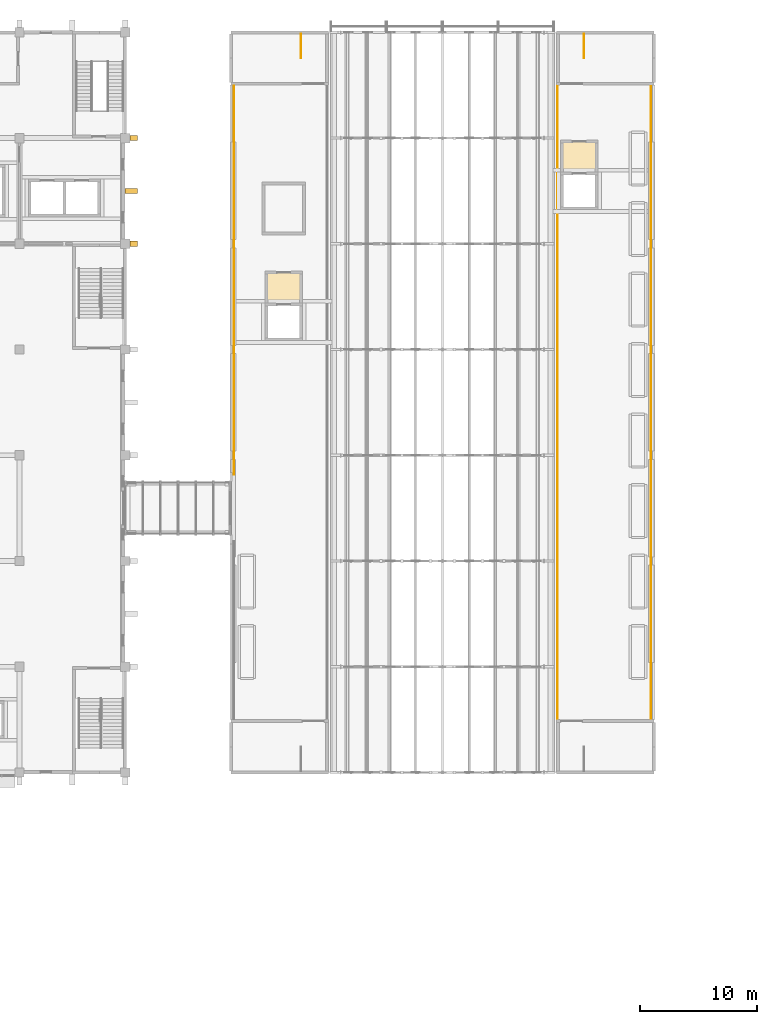
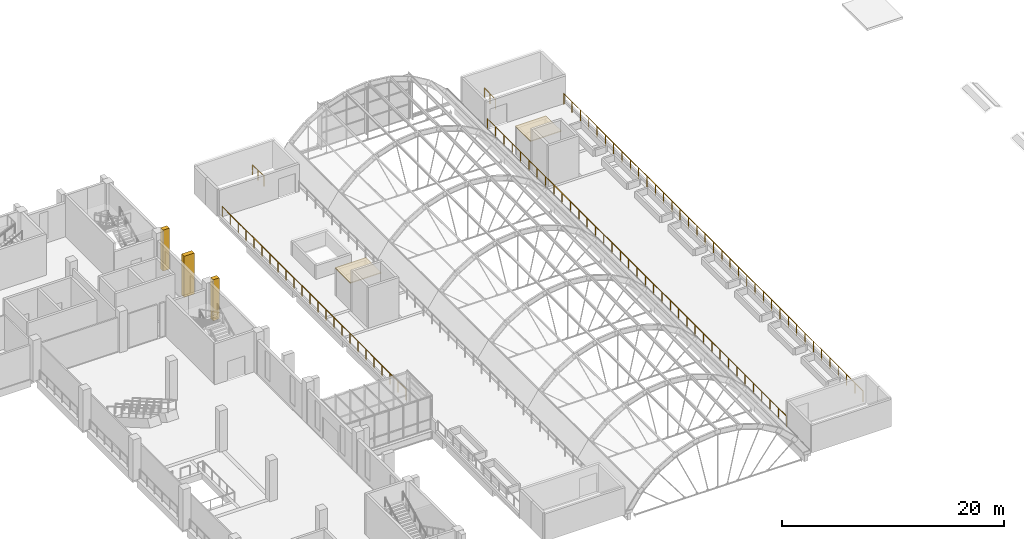
# One storey, part 76 of 79: 5 coverings, 5 railings.
"""IFC4 building model written with IfcOpenShell, lengths in metres."""

from ifc_helpers import new_model, si_unit, direction, frame, origin, origin_2d, place, context, subcontext, project, spatial, rectangle, circle, extrude, material, layer, layer_set, type_object, element, save


model = new_model("IFC4")

# Units and contexts
model_context = context("Model", 3, precision=1e-05, world=origin(), true_north=direction((0.0, 1.0)))
body_context = subcontext(model_context, "Body", "Model", "MODEL_VIEW")
ifc_project = project(units=[si_unit("LENGTHUNIT", "METRE"), si_unit("AREAUNIT", "SQUARE_METRE"), si_unit("VOLUMEUNIT", "CUBIC_METRE"), si_unit("PLANEANGLEUNIT", "RADIAN"), si_unit("MASSUNIT", "GRAM", prefix="KILO")], contexts=[model_context])

# Site, building, storey
site_placement = place(None, origin())
site = spatial("IfcSite", under=ifc_project, at=site_placement, CompositionType="ELEMENT")
building_placement = place(site_placement, origin())
building = spatial("IfcBuilding", under=site, at=building_placement, Name="Guidao Yard Department Store", CompositionType="ELEMENT")
storey_placement = place(building_placement, frame((0.0, 0.0, 15.0)))
storey = spatial("IfcBuildingStorey", under=building, at=storey_placement, Name="L03", CompositionType="ELEMENT", Elevation=15.0)

# Railings
ifc_material_1 = material(Name="Steel Q235", Category="steel")
railing_type_1 = type_object("IfcRailingType", Name="Guard steel balustrade 1100", PredefinedType="GUARDRAIL", material=ifc_material_1)
for number, where, name in (
    (1, (77.949951171875, 105.824951171875, 0.0), "Stair G2 guard L03 10"),
    (2, (102.050048828125, 105.824951171875, 0.0), "Stair G4 guard L03 12"),
):
    element("IfcRailing", number, at=place(storey_placement, frame(where)), inside=storey, type_object=railing_type_1, Name=name, PredefinedType="GUARDRAIL", context=body_context, shape_type="SweptSolid", body=[
        extrude(circle(Radius=0.02392578125, at=origin_2d()), frame((0.0, 0.0, 1.076171875), z_axis=(0.0, 1.0, 0.0), x_axis=(-1.0, 0.0, 0.0)), (0.0, 0.0, 1.0), 2.050048828125),
        extrude(circle(Radius=0.02099609375, at=origin_2d()), origin(), (0.0, 0.0, 1.0), 1.052001953125),
        extrude(circle(Radius=0.02099609375, at=origin_2d()), frame((0.0, 1.02490234375, 0.0)), (0.0, 0.0, 1.0), 1.052001953125),
        extrude(circle(Radius=0.02099609375, at=origin_2d()), frame((0.0, 2.050048828125, 0.0)), (0.0, 0.0, 1.0), 1.052001953125),
    ])
ifc_material_2 = material(Name="Steel Q235", Category="steel")
railing_type_2 = type_object("IfcRailingType", Name="Guard steel balustrade 1200", PredefinedType="GUARDRAIL", material=ifc_material_2)
railing_1_placement = place(storey_placement, frame((72.25, 70.35009765625, 0.0)))
element("IfcRailing", 3, at=railing_1_placement, inside=storey, type_object=railing_type_2, Name="Guard garden ROOF-AW 1 L03", PredefinedType="GUARDRAIL", context=body_context, shape_type="SweptSolid", body=[
    extrude(circle(Radius=0.02392578125, at=origin_2d()), frame((0.0, 0.0, 1.17578125), z_axis=(0.0, 1.0, 0.0), x_axis=(-1.0, 0.0, 0.0)), (0.0, 0.0, 1.0), 33.099853515625),
    extrude(circle(Radius=0.02099609375, at=origin_2d()), origin(), (0.0, 0.0, 1.0), 1.15185546875),
    extrude(circle(Radius=0.02099609375, at=origin_2d()), frame((0.0, 1.439208984375, 0.0)), (0.0, 0.0, 1.0), 1.15185546875),
    extrude(circle(Radius=0.02099609375, at=origin_2d()), frame((0.0, 2.878173828125, 0.0)), (0.0, 0.0, 1.0), 1.15185546875),
    extrude(circle(Radius=0.02099609375, at=origin_2d()), frame((0.0, 4.3173828125, 0.0)), (0.0, 0.0, 1.0), 1.15185546875),
    extrude(circle(Radius=0.02099609375, at=origin_2d()), frame((0.0, 5.756591796875, 0.0)), (0.0, 0.0, 1.0), 1.15185546875),
    extrude(circle(Radius=0.02099609375, at=origin_2d()), frame((0.0, 7.195556640625, 0.0)), (0.0, 0.0, 1.0), 1.15185546875),
    extrude(circle(Radius=0.02099609375, at=origin_2d()), frame((0.0, 8.634765625, 0.0)), (0.0, 0.0, 1.0), 1.15185546875),
    extrude(circle(Radius=0.02099609375, at=origin_2d()), frame((0.0, 10.073974609375, 0.0)), (0.0, 0.0, 1.0), 1.15185546875),
    extrude(circle(Radius=0.02099609375, at=origin_2d()), frame((0.0, 11.512939453125, 0.0)), (0.0, 0.0, 1.0), 1.15185546875),
    extrude(circle(Radius=0.02099609375, at=origin_2d()), frame((0.0, 12.9521484375, 0.0)), (0.0, 0.0, 1.0), 1.15185546875),
    extrude(circle(Radius=0.02099609375, at=origin_2d()), frame((0.0, 14.391357421875, 0.0)), (0.0, 0.0, 1.0), 1.15185546875),
    extrude(circle(Radius=0.02099609375, at=origin_2d()), frame((0.0, 15.830322265625, 0.0)), (0.0, 0.0, 1.0), 1.15185546875),
    extrude(circle(Radius=0.02099609375, at=origin_2d()), frame((0.0, 17.26953125, 0.0)), (0.0, 0.0, 1.0), 1.15185546875),
    extrude(circle(Radius=0.02099609375, at=origin_2d()), frame((0.0, 18.70849609375, 0.0)), (0.0, 0.0, 1.0), 1.15185546875),
    extrude(circle(Radius=0.02099609375, at=origin_2d()), frame((0.0, 20.147705078125, 0.0)), (0.0, 0.0, 1.0), 1.15185546875),
    extrude(circle(Radius=0.02099609375, at=origin_2d()), frame((0.0, 21.5869140625, 0.0)), (0.0, 0.0, 1.0), 1.15185546875),
    extrude(circle(Radius=0.02099609375, at=origin_2d()), frame((0.0, 23.02587890625, 0.0)), (0.0, 0.0, 1.0), 1.15185546875),
    extrude(circle(Radius=0.02099609375, at=origin_2d()), frame((0.0, 24.465087890625, 0.0)), (0.0, 0.0, 1.0), 1.15185546875),
    extrude(circle(Radius=0.02099609375, at=origin_2d()), frame((0.0, 25.904296875, 0.0)), (0.0, 0.0, 1.0), 1.15185546875),
    extrude(circle(Radius=0.02099609375, at=origin_2d()), frame((0.0, 27.34326171875, 0.0)), (0.0, 0.0, 1.0), 1.15185546875),
    extrude(circle(Radius=0.02099609375, at=origin_2d()), frame((0.0, 28.782470703125, 0.0)), (0.0, 0.0, 1.0), 1.15185546875),
    extrude(circle(Radius=0.02099609375, at=origin_2d()), frame((0.0, 30.2216796875, 0.0)), (0.0, 0.0, 1.0), 1.15185546875),
    extrude(circle(Radius=0.02099609375, at=origin_2d()), frame((0.0, 31.66064453125, 0.0)), (0.0, 0.0, 1.0), 1.15185546875),
    extrude(circle(Radius=0.02099609375, at=origin_2d()), frame((0.0, 33.099853515625, 0.0)), (0.0, 0.0, 1.0), 1.15185546875),
])
railing_2_placement = place(storey_placement, frame((99.800048828125, 49.550048828125, 0.0)))
element("IfcRailing", 4, at=railing_2_placement, inside=storey, type_object=railing_type_2, Name="Guard garden ROOF-AE 1 L03", PredefinedType="GUARDRAIL", context=body_context, shape_type="SweptSolid", body=[
    extrude(circle(Radius=0.02392578125, at=origin_2d()), frame((0.0, 0.0, 1.17578125), z_axis=(0.0, 1.0, 0.0), x_axis=(-1.0, 0.0, 0.0)), (0.0, 0.0, 1.0), 53.89990234375),
    extrude(circle(Radius=0.02099609375, at=origin_2d()), origin(), (0.0, 0.0, 1.0), 1.15185546875),
    extrude(circle(Radius=0.02099609375, at=origin_2d()), frame((0.0, 1.497314453125, 0.0)), (0.0, 0.0, 1.0), 1.15185546875),
    extrude(circle(Radius=0.02099609375, at=origin_2d()), frame((0.0, 2.994384765625, 0.0)), (0.0, 0.0, 1.0), 1.15185546875),
    extrude(circle(Radius=0.02099609375, at=origin_2d()), frame((0.0, 4.49169921875, 0.0)), (0.0, 0.0, 1.0), 1.15185546875),
    extrude(circle(Radius=0.02099609375, at=origin_2d()), frame((0.0, 5.98876953125, 0.0)), (0.0, 0.0, 1.0), 1.15185546875),
    extrude(circle(Radius=0.02099609375, at=origin_2d()), frame((0.0, 7.486083984375, 0.0)), (0.0, 0.0, 1.0), 1.15185546875),
    extrude(circle(Radius=0.02099609375, at=origin_2d()), frame((0.0, 8.9833984375, 0.0)), (0.0, 0.0, 1.0), 1.15185546875),
    extrude(circle(Radius=0.02099609375, at=origin_2d()), frame((0.0, 10.48046875, 0.0)), (0.0, 0.0, 1.0), 1.15185546875),
    extrude(circle(Radius=0.02099609375, at=origin_2d()), frame((0.0, 11.977783203125, 0.0)), (0.0, 0.0, 1.0), 1.15185546875),
    extrude(circle(Radius=0.02099609375, at=origin_2d()), frame((0.0, 13.47509765625, 0.0)), (0.0, 0.0, 1.0), 1.15185546875),
    extrude(circle(Radius=0.02099609375, at=origin_2d()), frame((0.0, 14.97216796875, 0.0)), (0.0, 0.0, 1.0), 1.15185546875),
    extrude(circle(Radius=0.02099609375, at=origin_2d()), frame((0.0, 16.469482421875, 0.0)), (0.0, 0.0, 1.0), 1.15185546875),
    extrude(circle(Radius=0.02099609375, at=origin_2d()), frame((0.0, 17.966552734375, 0.0)), (0.0, 0.0, 1.0), 1.15185546875),
    extrude(circle(Radius=0.02099609375, at=origin_2d()), frame((0.0, 19.4638671875, 0.0)), (0.0, 0.0, 1.0), 1.15185546875),
    extrude(circle(Radius=0.02099609375, at=origin_2d()), frame((0.0, 20.961181640625, 0.0)), (0.0, 0.0, 1.0), 1.15185546875),
    extrude(circle(Radius=0.02099609375, at=origin_2d()), frame((0.0, 22.458251953125, 0.0)), (0.0, 0.0, 1.0), 1.15185546875),
    extrude(circle(Radius=0.02099609375, at=origin_2d()), frame((0.0, 23.95556640625, 0.0)), (0.0, 0.0, 1.0), 1.15185546875),
    extrude(circle(Radius=0.02099609375, at=origin_2d()), frame((0.0, 25.45263671875, 0.0)), (0.0, 0.0, 1.0), 1.15185546875),
    extrude(circle(Radius=0.02099609375, at=origin_2d()), frame((0.0, 26.949951171875, 0.0)), (0.0, 0.0, 1.0), 1.15185546875),
    extrude(circle(Radius=0.02099609375, at=origin_2d()), frame((0.0, 28.447265625, 0.0)), (0.0, 0.0, 1.0), 1.15185546875),
    extrude(circle(Radius=0.02099609375, at=origin_2d()), frame((0.0, 29.9443359375, 0.0)), (0.0, 0.0, 1.0), 1.15185546875),
    extrude(circle(Radius=0.02099609375, at=origin_2d()), frame((0.0, 31.441650390625, 0.0)), (0.0, 0.0, 1.0), 1.15185546875),
    extrude(circle(Radius=0.02099609375, at=origin_2d()), frame((0.0, 32.938720703125, 0.0)), (0.0, 0.0, 1.0), 1.15185546875),
    extrude(circle(Radius=0.02099609375, at=origin_2d()), frame((0.0, 34.43603515625, 0.0)), (0.0, 0.0, 1.0), 1.15185546875),
    extrude(circle(Radius=0.02099609375, at=origin_2d()), frame((0.0, 35.933349609375, 0.0)), (0.0, 0.0, 1.0), 1.15185546875),
    extrude(circle(Radius=0.02099609375, at=origin_2d()), frame((0.0, 37.430419921875, 0.0)), (0.0, 0.0, 1.0), 1.15185546875),
    extrude(circle(Radius=0.02099609375, at=origin_2d()), frame((0.0, 38.927734375, 0.0)), (0.0, 0.0, 1.0), 1.15185546875),
    extrude(circle(Radius=0.02099609375, at=origin_2d()), frame((0.0, 40.4248046875, 0.0)), (0.0, 0.0, 1.0), 1.15185546875),
    extrude(circle(Radius=0.02099609375, at=origin_2d()), frame((0.0, 41.922119140625, 0.0)), (0.0, 0.0, 1.0), 1.15185546875),
    extrude(circle(Radius=0.02099609375, at=origin_2d()), frame((0.0, 43.41943359375, 0.0)), (0.0, 0.0, 1.0), 1.15185546875),
    extrude(circle(Radius=0.02099609375, at=origin_2d()), frame((0.0, 44.91650390625, 0.0)), (0.0, 0.0, 1.0), 1.15185546875),
    extrude(circle(Radius=0.02099609375, at=origin_2d()), frame((0.0, 46.413818359375, 0.0)), (0.0, 0.0, 1.0), 1.15185546875),
    extrude(circle(Radius=0.02099609375, at=origin_2d()), frame((0.0, 47.9111328125, 0.0)), (0.0, 0.0, 1.0), 1.15185546875),
    extrude(circle(Radius=0.02099609375, at=origin_2d()), frame((0.0, 49.408203125, 0.0)), (0.0, 0.0, 1.0), 1.15185546875),
    extrude(circle(Radius=0.02099609375, at=origin_2d()), frame((0.0, 50.905517578125, 0.0)), (0.0, 0.0, 1.0), 1.15185546875),
    extrude(circle(Radius=0.02099609375, at=origin_2d()), frame((0.0, 52.402587890625, 0.0)), (0.0, 0.0, 1.0), 1.15185546875),
    extrude(circle(Radius=0.02099609375, at=origin_2d()), frame((0.0, 53.89990234375, 0.0)), (0.0, 0.0, 1.0), 1.15185546875),
])
railing_3_placement = place(storey_placement, frame((107.75, 103.449951171875, 0.0)))
element("IfcRailing", 5, at=railing_3_placement, inside=storey, type_object=railing_type_2, Name="Guard garden ROOF-AE 1 L03", PredefinedType="GUARDRAIL", context=body_context, shape_type="SweptSolid", body=[
    extrude(circle(Radius=0.02392578125, at=origin_2d()), frame((0.0, 0.0, 1.17578125), z_axis=(0.0, -1.0, 0.0), x_axis=(1.0, 0.0, 0.0)), (0.0, 0.0, 1.0), 53.89990234375),
    extrude(circle(Radius=0.02099609375, at=origin_2d()), origin(), (0.0, 0.0, 1.0), 1.15185546875),
    extrude(circle(Radius=0.02099609375, at=origin_2d()), frame((0.0, -1.497314453125, 0.0)), (0.0, 0.0, 1.0), 1.15185546875),
    extrude(circle(Radius=0.02099609375, at=origin_2d()), frame((0.0, -2.994384765625, 0.0)), (0.0, 0.0, 1.0), 1.15185546875),
    extrude(circle(Radius=0.02099609375, at=origin_2d()), frame((0.0, -4.49169921875, 0.0)), (0.0, 0.0, 1.0), 1.15185546875),
    extrude(circle(Radius=0.02099609375, at=origin_2d()), frame((0.0, -5.98876953125, 0.0)), (0.0, 0.0, 1.0), 1.15185546875),
    extrude(circle(Radius=0.02099609375, at=origin_2d()), frame((0.0, -7.486083984375, 0.0)), (0.0, 0.0, 1.0), 1.15185546875),
    extrude(circle(Radius=0.02099609375, at=origin_2d()), frame((0.0, -8.9833984375, 0.0)), (0.0, 0.0, 1.0), 1.15185546875),
    extrude(circle(Radius=0.02099609375, at=origin_2d()), frame((0.0, -10.48046875, 0.0)), (0.0, 0.0, 1.0), 1.15185546875),
    extrude(circle(Radius=0.02099609375, at=origin_2d()), frame((0.0, -11.977783203125, 0.0)), (0.0, 0.0, 1.0), 1.15185546875),
    extrude(circle(Radius=0.02099609375, at=origin_2d()), frame((0.0, -13.47509765625, 0.0)), (0.0, 0.0, 1.0), 1.15185546875),
    extrude(circle(Radius=0.02099609375, at=origin_2d()), frame((0.0, -14.97216796875, 0.0)), (0.0, 0.0, 1.0), 1.15185546875),
    extrude(circle(Radius=0.02099609375, at=origin_2d()), frame((0.0, -16.469482421875, 0.0)), (0.0, 0.0, 1.0), 1.15185546875),
    extrude(circle(Radius=0.02099609375, at=origin_2d()), frame((0.0, -17.966552734375, 0.0)), (0.0, 0.0, 1.0), 1.15185546875),
    extrude(circle(Radius=0.02099609375, at=origin_2d()), frame((0.0, -19.4638671875, 0.0)), (0.0, 0.0, 1.0), 1.15185546875),
    extrude(circle(Radius=0.02099609375, at=origin_2d()), frame((0.0, -20.961181640625, 0.0)), (0.0, 0.0, 1.0), 1.15185546875),
    extrude(circle(Radius=0.02099609375, at=origin_2d()), frame((0.0, -22.458251953125, 0.0)), (0.0, 0.0, 1.0), 1.15185546875),
    extrude(circle(Radius=0.02099609375, at=origin_2d()), frame((0.0, -23.95556640625, 0.0)), (0.0, 0.0, 1.0), 1.15185546875),
    extrude(circle(Radius=0.02099609375, at=origin_2d()), frame((0.0, -25.45263671875, 0.0)), (0.0, 0.0, 1.0), 1.15185546875),
    extrude(circle(Radius=0.02099609375, at=origin_2d()), frame((0.0, -26.949951171875, 0.0)), (0.0, 0.0, 1.0), 1.15185546875),
    extrude(circle(Radius=0.02099609375, at=origin_2d()), frame((0.0, -28.447265625, 0.0)), (0.0, 0.0, 1.0), 1.15185546875),
    extrude(circle(Radius=0.02099609375, at=origin_2d()), frame((0.0, -29.9443359375, 0.0)), (0.0, 0.0, 1.0), 1.15185546875),
    extrude(circle(Radius=0.02099609375, at=origin_2d()), frame((0.0, -31.441650390625, 0.0)), (0.0, 0.0, 1.0), 1.15185546875),
    extrude(circle(Radius=0.02099609375, at=origin_2d()), frame((0.0, -32.938720703125, 0.0)), (0.0, 0.0, 1.0), 1.15185546875),
    extrude(circle(Radius=0.02099609375, at=origin_2d()), frame((0.0, -34.43603515625, 0.0)), (0.0, 0.0, 1.0), 1.15185546875),
    extrude(circle(Radius=0.02099609375, at=origin_2d()), frame((0.0, -35.933349609375, 0.0)), (0.0, 0.0, 1.0), 1.15185546875),
    extrude(circle(Radius=0.02099609375, at=origin_2d()), frame((0.0, -37.430419921875, 0.0)), (0.0, 0.0, 1.0), 1.15185546875),
    extrude(circle(Radius=0.02099609375, at=origin_2d()), frame((0.0, -38.927734375, 0.0)), (0.0, 0.0, 1.0), 1.15185546875),
    extrude(circle(Radius=0.02099609375, at=origin_2d()), frame((0.0, -40.4248046875, 0.0)), (0.0, 0.0, 1.0), 1.15185546875),
    extrude(circle(Radius=0.02099609375, at=origin_2d()), frame((0.0, -41.922119140625, 0.0)), (0.0, 0.0, 1.0), 1.15185546875),
    extrude(circle(Radius=0.02099609375, at=origin_2d()), frame((0.0, -43.41943359375, 0.0)), (0.0, 0.0, 1.0), 1.15185546875),
    extrude(circle(Radius=0.02099609375, at=origin_2d()), frame((0.0, -44.91650390625, 0.0)), (0.0, 0.0, 1.0), 1.15185546875),
    extrude(circle(Radius=0.02099609375, at=origin_2d()), frame((0.0, -46.413818359375, 0.0)), (0.0, 0.0, 1.0), 1.15185546875),
    extrude(circle(Radius=0.02099609375, at=origin_2d()), frame((0.0, -47.9111328125, 0.0)), (0.0, 0.0, 1.0), 1.15185546875),
    extrude(circle(Radius=0.02099609375, at=origin_2d()), frame((0.0, -49.408203125, 0.0)), (0.0, 0.0, 1.0), 1.15185546875),
    extrude(circle(Radius=0.02099609375, at=origin_2d()), frame((0.0, -50.905517578125, 0.0)), (0.0, 0.0, 1.0), 1.15185546875),
    extrude(circle(Radius=0.02099609375, at=origin_2d()), frame((0.0, -52.402587890625, 0.0)), (0.0, 0.0, 1.0), 1.15185546875),
    extrude(circle(Radius=0.02099609375, at=origin_2d()), frame((0.0, -53.89990234375, 0.0)), (0.0, 0.0, 1.0), 1.15185546875),
])

# Coverings
ifc_material_3 = material(Name="Steel Q235", Category="steel")
ifc_layer_1 = layer(ifc_material_3, 0.10009765625)
ifc_layer_set_1 = layer_set([ifc_layer_1], Name="Lobby roofing panel insulated metal deck 100")
covering_type_1 = type_object("IfcCoveringType", Name="Lobby roofing panel insulated metal deck 100", PredefinedType="ROOFING", material=ifc_layer_set_1)
for number, where, z_axis, x_axis, name in (
    (6, (76.5, 86.324951171875, 3.0), (0.0, 0.0, 1.0), (1.0, 0.0, 0.0), "Roof lift lobby roofing GL1"),
    (7, (101.64990234375, 97.47509765625, 3.0), (0.0, 0.0, 1.0), (1.0, 0.0, 0.0), "Roof lift lobby roofing GL2"),
):
    element("IfcCovering", number, at=place(storey_placement, frame(where, z_axis=z_axis, x_axis=x_axis)), inside=storey, type_object=covering_type_1, Name=name, PredefinedType="ROOFING", context=body_context, shape_type="SweptSolid", body=[
        extrude(rectangle(XDim=3.199951171875, YDim=2.75, at=origin_2d()), origin(), (0.0, 0.0, 1.0), 0.10009765625),
    ])
ifc_material_4 = material(Name="Precast concrete C40/50", Category="concrete")
ifc_layer_2 = layer(ifc_material_4, 0.449951171875)
ifc_layer_set_2 = layer_set([ifc_layer_2], Name="Precast fin FN1 board-formed concrete")
covering_type_2 = type_object("IfcCoveringType", Name="Precast fin FN1 board-formed concrete", PredefinedType="CLADDING", material=ifc_layer_set_2)
covering_1_placement = place(storey_placement, frame((63.72509765625, 90.0, 0.0), z_axis=(0.0, 0.0, 1.0), x_axis=(0.0, -1.0, 0.0)))
element("IfcCovering", 8, at=covering_1_placement, inside=storey, type_object=covering_type_2, Name="Precast fin", PredefinedType="CLADDING", context=body_context, shape_type="SweptSolid", body=[
    extrude(rectangle(XDim=0.449951171875, YDim=0.64990234375, at=origin_2d()), origin(), (0.0, 0.0, 1.0), 4.5),
])
covering_2_placement = place(storey_placement, frame((63.52490234375, 94.5, 0.0), z_axis=(0.0, 0.0, 1.0), x_axis=(0.0, -1.0, 0.0)))
element("IfcCovering", 9, at=covering_2_placement, inside=storey, type_object=covering_type_2, Name="Precast fin", PredefinedType="CLADDING", context=body_context, shape_type="SweptSolid", body=[
    extrude(rectangle(XDim=0.449951171875, YDim=1.050048828125, at=origin_2d()), origin(), (0.0, 0.0, 1.0), 4.5),
])
covering_3_placement = place(storey_placement, frame((63.72509765625, 99.0, 0.0), z_axis=(0.0, 0.0, 1.0), x_axis=(0.0, -1.0, 0.0)))
element("IfcCovering", 10, at=covering_3_placement, inside=storey, type_object=covering_type_2, Name="Precast fin", PredefinedType="CLADDING", context=body_context, shape_type="SweptSolid", body=[
    extrude(rectangle(XDim=0.449951171875, YDim=0.64990234375, at=origin_2d()), origin(), (0.0, 0.0, 1.0), 4.5),
])

save(model, "model.ifc")
